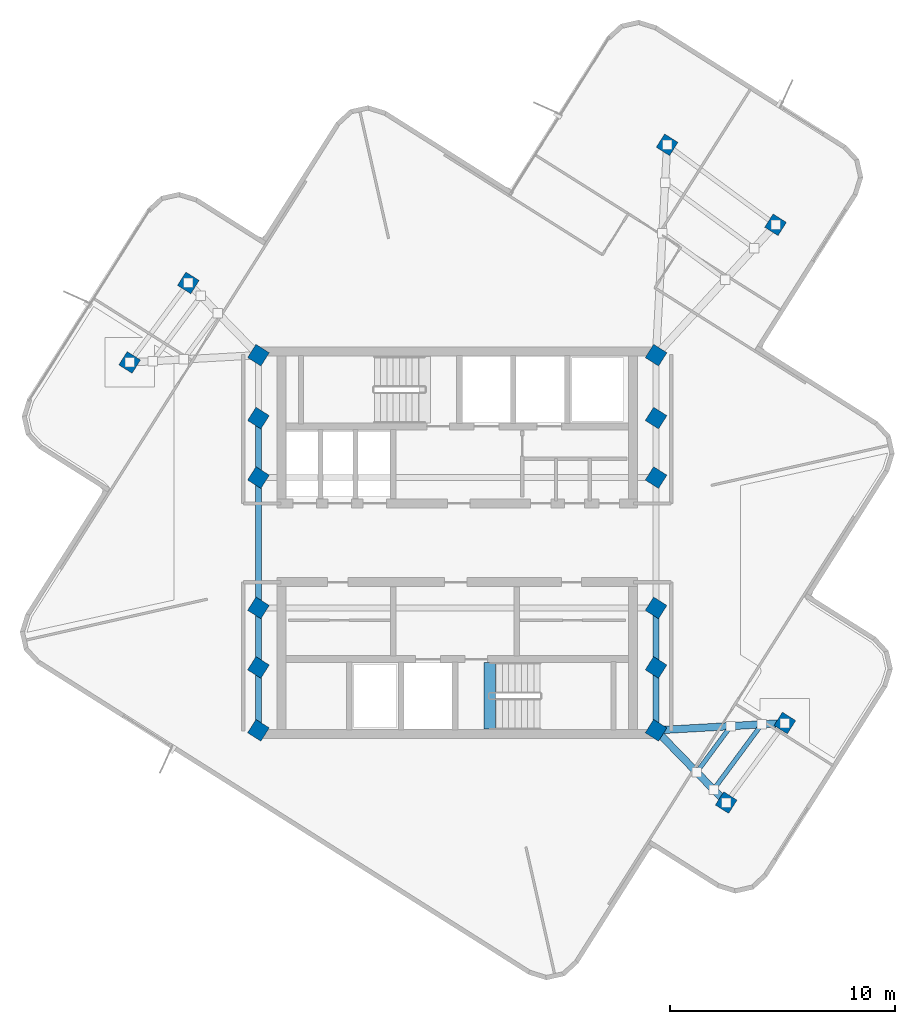
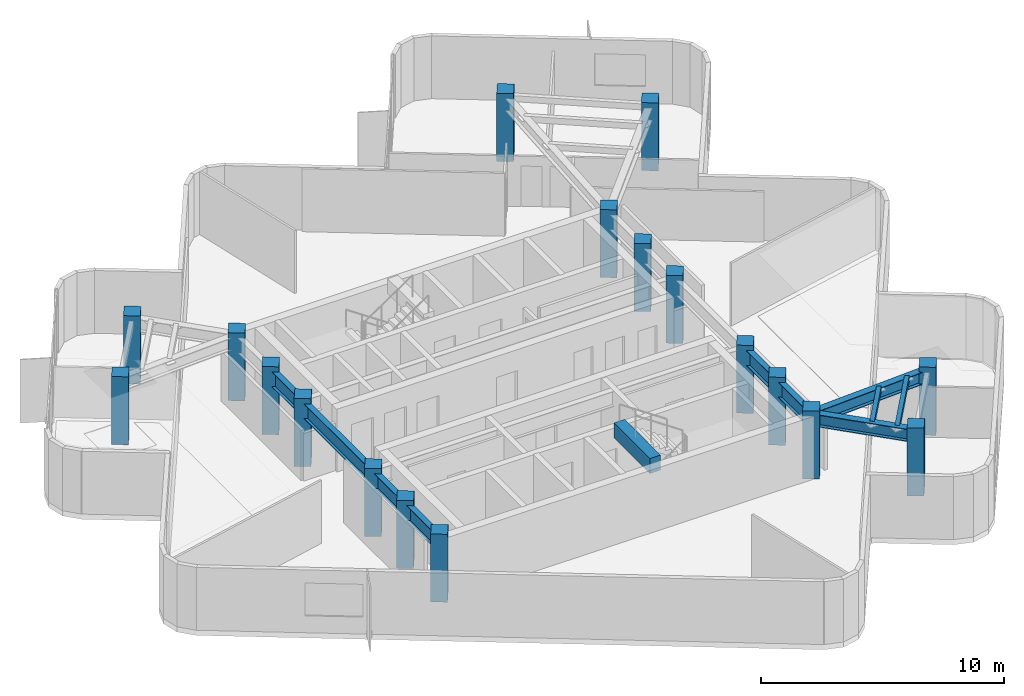
# One storey, part 1 of 10: 18 columns, 11 beams.
"""IFC4 building model written with IfcOpenShell, lengths in metres."""

import ifcopenshell
import ifcopenshell.guid

model = None  # the IFC model being written
_history = None  # IfcOwnerHistory: only IFC2X3 demands one
_inside = {}  # id of a spatial element -> (the spatial element, [elements in it])
_under = {}  # id of a project, library or spatial element -> (it, [spatial elements below it])
_declared = {}  # id of a project -> (the project, [libraries it declares])
_typed = {}  # id of a type object -> (the type object, [elements of that type])
_made_of = {}  # id of a material, layer set ... -> (it, [elements and type objects made of it])


def new_model(schema):
    """Start an empty IFC model of exactly this schema.

    Asked for "IFC4X3", IfcOpenShell would pick the latest addendum, in which some entities
    have other attributes; the version numbers below select the first issue.
    IFC2X3 requires an IfcOwnerHistory on every rooted entity: one is made here for all.
    """
    global model, _history
    if schema == "IFC4X3":
        model = ifcopenshell.file(schema_version=(4, 3, 0, 0))
    else:
        model = ifcopenshell.file(schema=schema)
    _inside.clear()
    _under.clear()
    _declared.clear()
    _typed.clear()
    _made_of.clear()
    _history = None
    if model.schema == "IFC2X3":
        org = make("IfcOrganization", Name="unknown")
        user = make(
            "IfcPersonAndOrganization",
            ThePerson=make("IfcPerson", FamilyName="unknown"),
            TheOrganization=org,
        )
        app = make(
            "IfcApplication",
            ApplicationDeveloper=org,
            Version="unknown",
            ApplicationFullName="unknown",
            ApplicationIdentifier="unknown",
        )
        _history = make(
            "IfcOwnerHistory",
            OwningUser=user,
            OwningApplication=app,
            ChangeAction="ADDED",
            CreationDate=0,
        )
    return model


def make(cls, **values):
    """One entity of the class cls with the attributes given. An attribute that is None is left unset."""
    return model.create_entity(
        cls, **{name: value for name, value in values.items() if value is not None}
    )


def rooted(cls, **values):
    """An entity with a GlobalId (a new one), such as an element, a storey or a relation."""
    return make(cls, GlobalId=ifcopenshell.guid.new(), OwnerHistory=_history, **values)


def si_unit(unit_type, name, prefix=None):
    """IfcSIUnit, for example si_unit("LENGTHUNIT", "METRE", prefix="MILLI")."""
    return make("IfcSIUnit", UnitType=unit_type, Prefix=prefix, Name=name)


def assignment(units):
    """IfcUnitAssignment: the units of a project."""
    return None if units is None else make("IfcUnitAssignment", Units=units)


def point(xyz):
    """IfcCartesianPoint."""
    return None if xyz is None else make("IfcCartesianPoint", Coordinates=xyz)


def direction(xyz):
    """IfcDirection."""
    return None if xyz is None else make("IfcDirection", DirectionRatios=xyz)


def frame(location, z_axis=None, x_axis=None):
    """IfcAxis2Placement3D, a coordinate frame: its origin and axes. An axis left out is left unset."""
    return make(
        "IfcAxis2Placement3D",
        Location=point(location),
        Axis=direction(z_axis),
        RefDirection=direction(x_axis),
    )


def frame_2d(location, x_axis=None):
    """IfcAxis2Placement2D, a coordinate frame in the plane: its origin and x axis."""
    return make(
        "IfcAxis2Placement2D", Location=point(location), RefDirection=direction(x_axis)
    )


def origin():
    """The frame at (0, 0, 0) with its axes left unset."""
    return frame((0.0, 0.0, 0.0))


def origin_2d():
    """The frame at (0, 0) in the plane with its x axis left unset."""
    return frame_2d((0.0, 0.0))


def place(relative_to, where):
    """IfcLocalPlacement: puts the frame where relative to a parent placement (None: the world)."""
    return make(
        "IfcLocalPlacement", PlacementRelTo=relative_to, RelativePlacement=where
    )


def context(
    kind, dimensions, precision=None, world=None, true_north=None, identifier=None
):
    """IfcGeometricRepresentationContext, for example the 3D "Model" context."""
    return make(
        "IfcGeometricRepresentationContext",
        ContextIdentifier=identifier,
        ContextType=kind,
        CoordinateSpaceDimension=dimensions,
        Precision=precision,
        WorldCoordinateSystem=world,
        TrueNorth=true_north,
    )


def subcontext(parent, identifier, kind, view, scale=None):
    """IfcGeometricRepresentationSubContext, for example "Body" below "Model"."""
    return make(
        "IfcGeometricRepresentationSubContext",
        ContextIdentifier=identifier,
        ContextType=kind,
        ParentContext=parent,
        TargetScale=scale,
        TargetView=view,
    )


def project(units=None, contexts=None):
    """IfcProject with its units and contexts."""
    return rooted(
        "IfcProject",
        Name="project",
        RepresentationContexts=contexts,
        UnitsInContext=assignment(units),
    )


def spatial(cls, under=None, at=None, **own):
    """A site, building, storey or space (cls), placed at a placement, below another one or the project."""
    s = rooted(cls, ObjectPlacement=at, **own)
    if under is not None:
        _under.setdefault(under.id(), (under, []))[1].append(s)
    return s


def profile(cls, at=None, kind="AREA", **sizes):
    """A parametric profile (cls). Its sizes go by their IFC names, for example OverallWidth=200.0."""
    return make(cls, ProfileType=kind, Position=at, **sizes)


def rectangle(**sizes):
    """IfcRectangleProfileDef."""
    return profile("IfcRectangleProfileDef", **sizes)


def hollow_rectangle(**sizes):
    """IfcRectangleHollowProfileDef."""
    return profile("IfcRectangleHollowProfileDef", **sizes)


def i_section(**sizes):
    """IfcIShapeProfileDef."""
    return profile("IfcIShapeProfileDef", **sizes)


def extrude(swept, where, along, depth):
    """IfcExtrudedAreaSolid: the profile swept, set in the frame where, extruded along a direction by depth."""
    return make(
        "IfcExtrudedAreaSolid",
        SweptArea=swept,
        Position=where,
        ExtrudedDirection=direction(along),
        Depth=depth,
    )


def shape(context_of_items, identifier, shape_type, items):
    """IfcShapeRepresentation: the items that make up one representation, for example the "Body"."""
    return make(
        "IfcShapeRepresentation",
        ContextOfItems=context_of_items,
        RepresentationIdentifier=identifier,
        RepresentationType=shape_type,
        Items=items,
    )


def material(Name=None, Category=None):
    """IfcMaterial."""
    return make("IfcMaterial", Name=Name, Category=Category)


def material_profile(
    of_material, cross_section, Name=None, Category=None, Priority=None
):
    """IfcMaterialProfile: a cross section and its material."""
    return make(
        "IfcMaterialProfile",
        Name=Name,
        Material=of_material,
        Profile=cross_section,
        Priority=Priority,
        Category=Category,
    )


def profile_set(profiles, Name=None, composite=None):
    """IfcMaterialProfileSet."""
    return make(
        "IfcMaterialProfileSet",
        Name=Name,
        MaterialProfiles=profiles,
        CompositeProfile=composite,
    )


def made_of(thing, what):
    """Note that an element or type object is made of a material, layer set ...; save() writes the relation."""
    if what is not None:
        _made_of.setdefault(what.id(), (what, []))[1].append(thing)
    return thing


def type_object(cls, material=None, **own):
    """A type object (cls), such as IfcWallType, which elements share."""
    return made_of(rooted(cls, **own), material)


def element(
    cls,
    number,
    at=None,
    inside=None,
    cuts=None,
    type_object=None,
    material=None,
    context=None,
    identifier="Body",
    shape_type=None,
    held_by="IfcProductDefinitionShape",
    body=None,
    shapes=None,
    **own,
):
    """One element of the class cls, such as IfcWall. Its Tag is "e" and its number.

    at: its placement. inside: the storey or other place that contains it. cuts: it is an
    opening in that element (IfcRelVoidsElement). A single representation is given by context,
    identifier, shape_type and body (its items); several are given by shapes. held_by: the class
    of the entity that holds the representations. save() writes the other relations.
    """
    e = rooted(cls, Tag="e%d" % number, ObjectPlacement=at, **own)
    if body is not None:
        shapes = [shape(context, identifier, shape_type, body)]
    if shapes is not None:
        e.Representation = make(held_by, Representations=shapes)
    if inside is not None:
        _inside.setdefault(inside.id(), (inside, []))[1].append(e)
    if cuts is not None:
        rooted(
            "IfcRelVoidsElement", RelatingBuildingElement=cuts, RelatedOpeningElement=e
        )
    if type_object is not None:
        _typed.setdefault(type_object.id(), (type_object, []))[1].append(e)
    return made_of(e, material)


def aggregate(whole, parts):
    """IfcRelAggregates: a whole, such as a stair, and the parts it consists of."""
    return rooted("IfcRelAggregates", RelatingObject=whole, RelatedObjects=parts)


def save(model, path):
    """Write the relations noted so far, then the file.

    IfcRelAggregates (storeys below a building ...), IfcRelContainedInSpatialStructure (elements
    in a storey), IfcRelDefinesByType, IfcRelAssociatesMaterial and IfcRelDeclares: one each for
    every whole, place, type object, material and project.
    """
    for whole, parts in _under.values():
        aggregate(whole, parts)
    for where, things in _inside.values():
        rooted(
            "IfcRelContainedInSpatialStructure",
            RelatedElements=things,
            RelatingStructure=where,
        )
    for kind, things in _typed.values():
        rooted("IfcRelDefinesByType", RelatedObjects=things, RelatingType=kind)
    for what, things in _made_of.values():
        rooted("IfcRelAssociatesMaterial", RelatedObjects=things, RelatingMaterial=what)
    for by, libraries in _declared.values():
        rooted("IfcRelDeclares", RelatingContext=by, RelatedDefinitions=libraries)
    model.write(path)


model = new_model("IFC4")

# Units and contexts
model_context = context("Model", 3, precision=1e-05, world=origin(), true_north=direction((0.0, 1.0)))
body_context = subcontext(model_context, "Body", "Model", "MODEL_VIEW")
ifc_project = project(units=[si_unit("LENGTHUNIT", "METRE"), si_unit("AREAUNIT", "SQUARE_METRE"), si_unit("VOLUMEUNIT", "CUBIC_METRE"), si_unit("PLANEANGLEUNIT", "RADIAN"), si_unit("MASSUNIT", "GRAM", prefix="KILO")], contexts=[model_context])

# Site, building, storey
site_placement = place(None, origin())
site = spatial("IfcSite", under=ifc_project, at=site_placement, CompositionType="ELEMENT")
building_placement = place(site_placement, origin())
building = spatial("IfcBuilding", under=site, at=building_placement, Name="Solmarez Civic Tower", CompositionType="ELEMENT")
storey_placement = place(building_placement, frame((0.0, 0.0, 274.860107421875)))
storey = spatial("IfcBuildingStorey", under=building, at=storey_placement, Name="L74", CompositionType="ELEMENT", Elevation=274.860107421875)

# Columns
ifc_material_1 = material(Name="Concrete C50/60", Category="concrete")
ifc_material_profile_1 = material_profile(ifc_material_1, rectangle(XDim=0.699951171875, YDim=0.699951171875, at=origin_2d()), Name="RC700X700")
ifc_profile_set_1 = profile_set([ifc_material_profile_1], Name="Concrete C50/60")
column_type = type_object("IfcColumnType", Name="COL-RC700", PredefinedType="COLUMN", material=ifc_profile_set_1)
for number, where, z_axis, x_axis, name in (
    (1, (-8.85009765625, -5.550048828125, 0.0), (0.0, 0.0, 1.0), (0.534057264801, 0.845448305879, 0.0), "L74 Structural Column HC1"),
    (2, (-8.85009765625, -2.89990234375, 0.0), (0.0, 0.0, 1.0), (0.534057264801, 0.845448305879, 0.0), "L74 Structural Column HC2"),
    (3, (-8.85009765625, 2.89990234375, 0.0), (0.0, 0.0, 1.0), (0.534057264801, 0.845448305879, 0.0), "L74 Structural Column HC3"),
    (4, (-8.85009765625, 5.550048828125, 0.0), (0.0, 0.0, 1.0), (0.534057264801, 0.845448305879, 0.0), "L74 Structural Column HC4"),
    (5, (8.85009765625, -5.550048828125, 0.0), (0.0, 0.0, 1.0), (0.534057264801, 0.845448305879, 0.0), "L74 Structural Column HC5"),
    (6, (8.85009765625, -2.89990234375, 0.0), (0.0, 0.0, 1.0), (0.534057264801, 0.845448305879, 0.0), "L74 Structural Column HC6"),
    (7, (8.85009765625, 2.89990234375, 0.0), (0.0, 0.0, 1.0), (0.534057264801, 0.845448305879, 0.0), "L74 Structural Column HC7"),
    (8, (8.85009765625, 5.550048828125, 0.0), (0.0, 0.0, 1.0), (0.534057264801, 0.845448305879, 0.0), "L74 Structural Column HC8"),
    (9, (-8.85009765625, 8.35009765625, 0.0), (0.0, 0.0, 1.0), (0.534057264801, 0.845448305879, 0.0), "L74 Structural Column HC9"),
    (10, (8.85009765625, -8.35009765625, 0.0), (0.0, 0.0, 1.0), (0.534057264801, 0.845448305879, 0.0), "L74 Structural Column HC10"),
    (11, (8.85009765625, 8.35009765625, 0.0), (0.0, 0.0, 1.0), (0.534057264801, 0.845448305879, 0.0), "L74 Structural Column HC11"),
    (12, (-8.85009765625, -8.35009765625, 0.0), (0.0, 0.0, 1.0), (0.534057264801, 0.845448305879, 0.0), "L74 Structural Column HC12"),
    (13, (14.1689453125, 14.152099609375, 0.0), (0.0, 0.0, 1.0), (0.534057264801, 0.845448305879, 0.0), "L74 Structural Column EA11"),
    (14, (9.341064453125, 17.714111328125, 0.0), (0.0, 0.0, 1.0), (0.534057264801, 0.845448305879, 0.0), "L74 Structural Column EA12"),
    (15, (-11.970947265625, 11.56591796875, 0.0), (0.0, 0.0, 1.0), (0.534057264801, 0.845448305879, 0.0), "L74 Structural Column NA11"),
    (16, (-14.5830078125, 8.02587890625, 0.0), (0.0, 0.0, 1.0), (0.534057264801, 0.845448305879, 0.0), "L74 Structural Column NA12"),
    (17, (11.970947265625, -11.56591796875, 0.0), (0.0, 0.0, 1.0), (0.534057264801, 0.845448305879, 0.0), "L74 Structural Column SA11"),
    (18, (14.5830078125, -8.02587890625, 0.0), (0.0, 0.0, 1.0), (0.534057264801, 0.845448305879, 0.0), "L74 Structural Column SA12"),
):
    element("IfcColumn", number, at=place(storey_placement, frame(where, z_axis=z_axis, x_axis=x_axis)), inside=storey, type_object=column_type, Name=name, PredefinedType="COLUMN", context=body_context, shape_type="SweptSolid", body=[
        extrude(rectangle(XDim=0.699951171875, YDim=0.699951171875, at=origin_2d()), origin(), (0.0, 0.0, 1.0), 3.419921875),
    ])

# Beams
ifc_material_2 = material(Name="Steel S355", Category="steel")
ifc_material_profile_2 = material_profile(ifc_material_2, hollow_rectangle(XDim=0.199951171875, YDim=0.300048828125, WallThickness=0.011962890625, at=origin_2d()), Name="HSS300X200X12")
ifc_profile_set_2 = profile_set([ifc_material_profile_2], Name="Steel S355")
beam_type_1 = type_object("IfcBeamType", Name="BM-JS-HSS300X200", PredefinedType="JOIST", material=ifc_profile_set_2)
beam_1_placement = place(storey_placement, frame((10.659912109375, -10.215087890625, 3.010009765625), z_axis=(0.593812477683, 0.804603468392, 0.0), x_axis=(-0.804603468392, 0.593812477683, 0.0)))
element("IfcBeam", 19, at=beam_1_placement, inside=storey, type_object=beam_type_1, Name="L74 Secondary Floor Joist JS-L74-SA-M11", PredefinedType="JOIST", context=body_context, shape_type="SweptSolid", body=[
    extrude(hollow_rectangle(XDim=0.199951171875, YDim=0.300048828125, WallThickness=0.011962890625, at=origin_2d()), origin(), (0.0, 0.0, 1.0), 2.551513671875),
])
beam_2_placement = place(storey_placement, frame((11.408935546875, -10.987060546875, 3.010009765625), z_axis=(0.593734433343, 0.804661060735, 0.0), x_axis=(-0.804661060735, 0.593734433343, 0.0)))
element("IfcBeam", 20, at=beam_2_placement, inside=storey, type_object=beam_type_1, Name="L74 Secondary Floor Joist JS-L74-SA-M12", PredefinedType="JOIST", context=body_context, shape_type="SweptSolid", body=[
    extrude(hollow_rectangle(XDim=0.199951171875, YDim=0.300048828125, WallThickness=0.011962890625, at=origin_2d()), origin(), (0.0, 0.0, 1.0), 3.60791015625),
])
ifc_material_profile_3 = material_profile(ifc_material_1, rectangle(XDim=0.5, YDim=0.75, at=origin_2d()), Name="RC500X750")
ifc_profile_set_3 = profile_set([ifc_material_profile_3], Name="Concrete C50/60")
beam_type_2 = type_object("IfcBeamType", Name="BM-PR-RC500X750", PredefinedType="BEAM", material=ifc_profile_set_3)
beam_3_placement = place(storey_placement, frame((1.449951171875, -8.300048828125, 3.052978515625), z_axis=(0.0, 1.0, 0.0), x_axis=(-1.0, 0.0, 0.0)))
element("IfcBeam", 21, at=beam_3_placement, inside=storey, type_object=beam_type_2, Name="L74 South Stair Threshold Beam", PredefinedType="BEAM", context=body_context, shape_type="SweptSolid", body=[
    extrude(rectangle(XDim=0.5, YDim=0.75, at=origin_2d()), origin(), (0.0, 0.0, 1.0), 2.9599609375),
])
ifc_material_profile_4 = material_profile(ifc_material_2, i_section(OverallWidth=0.327880859375, OverallDepth=0.6220703125, WebThickness=0.015380859375, FlangeThickness=0.0244140625, at=origin_2d()), Name="W24X131")
ifc_profile_set_4 = profile_set([ifc_material_profile_4], Name="Steel S355")
beam_type_3 = type_object("IfcBeamType", Name="BM-PR-W24X131", PredefinedType="BEAM", material=ifc_profile_set_4)
beam_4_placement = place(storey_placement, frame((8.85009765625, -8.35009765625, 2.848876953125), z_axis=(0.696430820305, -0.717623935309, 0.0), x_axis=(0.717623935309, 0.696430820305, 0.0)))
element("IfcBeam", 22, at=beam_4_placement, inside=storey, type_object=beam_type_3, Name="L74 Primary Floor Beam BM-L74-SA-R1A", PredefinedType="BEAM", context=body_context, shape_type="SweptSolid", body=[
    extrude(i_section(OverallWidth=0.327880859375, OverallDepth=0.6220703125, WebThickness=0.015380859375, FlangeThickness=0.0244140625, at=origin_2d()), origin(), (0.0, 0.0, 1.0), 4.481201171875),
])
beam_5_placement = place(storey_placement, frame((8.85009765625, -8.35009765625, 2.848876953125), z_axis=(0.998404650863, 0.056463732917, 0.0), x_axis=(-0.056463732917, 0.998404650863, 0.0)))
element("IfcBeam", 23, at=beam_5_placement, inside=storey, type_object=beam_type_3, Name="L74 Primary Floor Beam BM-L74-SA-R1B", PredefinedType="BEAM", context=body_context, shape_type="SweptSolid", body=[
    extrude(i_section(OverallWidth=0.327880859375, OverallDepth=0.6220703125, WebThickness=0.015380859375, FlangeThickness=0.0244140625, at=origin_2d()), origin(), (0.0, 0.0, 1.0), 5.7421875),
])
ifc_material_profile_5 = material_profile(ifc_material_2, i_section(OverallWidth=0.26708984375, OverallDepth=0.761962890625, WebThickness=0.014404296875, FlangeThickness=0.021484375, at=origin_2d()), Name="W30X116")
ifc_profile_set_5 = profile_set([ifc_material_profile_5], Name="Steel S355")
beam_type_4 = type_object("IfcBeamType", Name="BM-PR-W30X116", PredefinedType="BEAM", material=ifc_profile_set_5)
beam_6_placement = place(storey_placement, frame((-8.85009765625, -8.35009765625, 2.77880859375), z_axis=(0.0, 1.0, 0.0), x_axis=(-1.0, 0.0, 0.0)))
element("IfcBeam", 24, at=beam_6_placement, inside=storey, type_object=beam_type_4, Name="L74 Primary Floor Beam BM-L74-HC12-HC1", PredefinedType="BEAM", context=body_context, shape_type="SweptSolid", body=[
    extrude(i_section(OverallWidth=0.26708984375, OverallDepth=0.761962890625, WebThickness=0.014404296875, FlangeThickness=0.021484375, at=origin_2d()), origin(), (0.0, 0.0, 1.0), 2.800048828125),
])
beam_7_placement = place(storey_placement, frame((-8.85009765625, -5.550048828125, 2.77880859375), z_axis=(0.0, 1.0, 0.0), x_axis=(-1.0, 0.0, 0.0)))
element("IfcBeam", 25, at=beam_7_placement, inside=storey, type_object=beam_type_4, Name="L74 Primary Floor Beam BM-L74-HC1-HC2", PredefinedType="BEAM", context=body_context, shape_type="SweptSolid", body=[
    extrude(i_section(OverallWidth=0.26708984375, OverallDepth=0.761962890625, WebThickness=0.014404296875, FlangeThickness=0.021484375, at=origin_2d()), origin(), (0.0, 0.0, 1.0), 2.650146484375),
])
beam_8_placement = place(storey_placement, frame((-8.85009765625, -2.89990234375, 2.77880859375), z_axis=(0.0, 1.0, 0.0), x_axis=(-1.0, 0.0, 0.0)))
element("IfcBeam", 26, at=beam_8_placement, inside=storey, type_object=beam_type_4, Name="L74 Primary Floor Beam BM-L74-HC2-HC3", PredefinedType="BEAM", context=body_context, shape_type="SweptSolid", body=[
    extrude(i_section(OverallWidth=0.26708984375, OverallDepth=0.761962890625, WebThickness=0.014404296875, FlangeThickness=0.021484375, at=origin_2d()), origin(), (0.0, 0.0, 1.0), 5.7998046875),
])
beam_9_placement = place(storey_placement, frame((-8.85009765625, 2.89990234375, 2.77880859375), z_axis=(0.0, 1.0, 0.0), x_axis=(-1.0, 0.0, 0.0)))
element("IfcBeam", 27, at=beam_9_placement, inside=storey, type_object=beam_type_4, Name="L74 Primary Floor Beam BM-L74-HC3-HC4", PredefinedType="BEAM", context=body_context, shape_type="SweptSolid", body=[
    extrude(i_section(OverallWidth=0.26708984375, OverallDepth=0.761962890625, WebThickness=0.014404296875, FlangeThickness=0.021484375, at=origin_2d()), origin(), (0.0, 0.0, 1.0), 2.650146484375),
])
beam_10_placement = place(storey_placement, frame((8.85009765625, -8.35009765625, 2.77880859375), z_axis=(0.0, 1.0, 0.0), x_axis=(-1.0, 0.0, 0.0)))
element("IfcBeam", 28, at=beam_10_placement, inside=storey, type_object=beam_type_4, Name="L74 Primary Floor Beam BM-L74-HC10-HC5", PredefinedType="BEAM", context=body_context, shape_type="SweptSolid", body=[
    extrude(i_section(OverallWidth=0.26708984375, OverallDepth=0.761962890625, WebThickness=0.014404296875, FlangeThickness=0.021484375, at=origin_2d()), origin(), (0.0, 0.0, 1.0), 2.800048828125),
])
beam_11_placement = place(storey_placement, frame((8.85009765625, -5.550048828125, 2.77880859375), z_axis=(0.0, 1.0, 0.0), x_axis=(-1.0, 0.0, 0.0)))
element("IfcBeam", 29, at=beam_11_placement, inside=storey, type_object=beam_type_4, Name="L74 Primary Floor Beam BM-L74-HC5-HC6", PredefinedType="BEAM", context=body_context, shape_type="SweptSolid", body=[
    extrude(i_section(OverallWidth=0.26708984375, OverallDepth=0.761962890625, WebThickness=0.014404296875, FlangeThickness=0.021484375, at=origin_2d()), origin(), (0.0, 0.0, 1.0), 2.650146484375),
])

save(model, "model.ifc")
